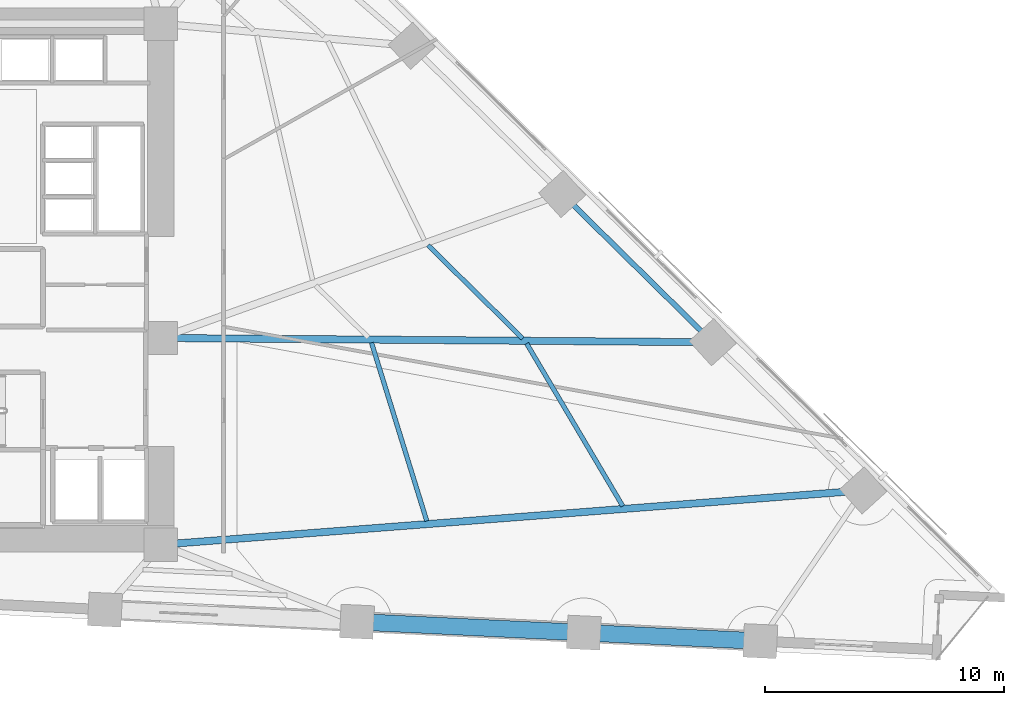
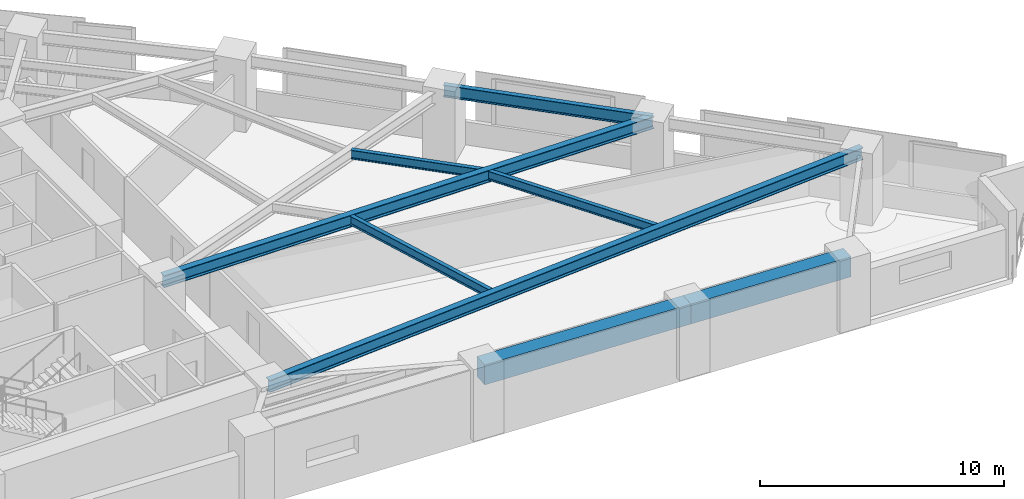
# One storey, part 3 of 17: 8 beams.
"""IFC4 building model written with IfcOpenShell, lengths in metres."""

from ifc_helpers import new_model, si_unit, direction, frame, origin, origin_2d, place, context, subcontext, project, spatial, rectangle, i_section, extrude, material, material_profile, profile_set, type_object, element, save


model = new_model("IFC4")

# Units and contexts
model_context = context("Model", 3, precision=1e-05, world=origin(), true_north=direction((0.0, 1.0)))
body_context = subcontext(model_context, "Body", "Model", "MODEL_VIEW")
ifc_project = project(units=[si_unit("LENGTHUNIT", "METRE"), si_unit("AREAUNIT", "SQUARE_METRE"), si_unit("VOLUMEUNIT", "CUBIC_METRE"), si_unit("PLANEANGLEUNIT", "RADIAN"), si_unit("MASSUNIT", "GRAM", prefix="KILO")], contexts=[model_context])

# Site, building, storey
site_placement = place(None, origin())
site = spatial("IfcSite", under=ifc_project, at=site_placement, CompositionType="ELEMENT")
building_placement = place(site_placement, origin())
building = spatial("IfcBuilding", under=site, at=building_placement, Name="Narakoshi Arena Tower", CompositionType="ELEMENT")
storey_placement = place(building_placement, frame((0.0, 0.0, 37.5)))
storey = spatial("IfcBuildingStorey", under=building, at=storey_placement, Name="L09", CompositionType="ELEMENT", Elevation=37.5)

# Beams
ifc_material_1 = material(Name="Concrete C60/75", Category="concrete")
ifc_material_profile_1 = material_profile(ifc_material_1, rectangle(XDim=0.699951171875, YDim=1.0, at=origin_2d()), Name="RCB700x1000")
ifc_profile_set_1 = profile_set([ifc_material_profile_1], Name="Concrete C60/75")
beam_type_1 = type_object("IfcBeamType", Name="BM-CPL-1000", PredefinedType="BEAM", material=ifc_profile_set_1)
beam_1_placement = place(storey_placement, frame((93.760009765625, 31.472412109375, 2.89990234375), z_axis=(0.998849228903, -0.047960587155, 0.0), x_axis=(0.047960587155, 0.998849228903, 0.0)))
element("IfcBeam", 1, at=beam_1_placement, inside=storey, type_object=beam_type_1, Name="L09 Perimeter Edge Girder 02", PredefinedType="BEAM", context=body_context, shape_type="SweptSolid", body=[
    extrude(rectangle(XDim=0.699951171875, YDim=1.0, at=origin_2d()), origin(), (0.0, 0.0, 1.0), 9.50390625),
])
beam_2_placement = place(storey_placement, frame((103.2529296875, 31.0166015625, 2.89990234375), z_axis=(0.998847872759, -0.047988822508, 0.0), x_axis=(0.047988822508, 0.998847872759, 0.0)))
element("IfcBeam", 2, at=beam_2_placement, inside=storey, type_object=beam_type_1, Name="L09 Perimeter Edge Girder 03", PredefinedType="BEAM", context=body_context, shape_type="SweptSolid", body=[
    extrude(rectangle(XDim=0.699951171875, YDim=1.0, at=origin_2d()), origin(), (0.0, 0.0, 1.0), 7.39208984375),
])
ifc_material_2 = material(Name="Structural steel S355J2", Category="steel")
ifc_material_profile_2 = material_profile(ifc_material_2, i_section(OverallWidth=0.219970703125, OverallDepth=0.60009765625, WebThickness=0.011962890625, FlangeThickness=0.01904296875, FilletRadius=0.02392578125, at=origin_2d()), Name="IPE600")
ifc_profile_set_2 = profile_set([ifc_material_profile_2], Name="Structural steel S355J2")
beam_type_2 = type_object("IfcBeamType", Name="BM-EDGE-600", PredefinedType="BEAM", material=ifc_profile_set_2)
beam_3_placement = place(storey_placement, frame((108.643798828125, 43.171875, 3.10009765625), z_axis=(-0.712540689328, 0.70163079041, 0.0), x_axis=(-0.70163079041, -0.712540689328, 0.0)))
element("IfcBeam", 3, at=beam_3_placement, inside=storey, type_object=beam_type_2, Name="L09 Perimeter Edge Girder 06", PredefinedType="BEAM", context=body_context, shape_type="SweptSolid", body=[
    extrude(i_section(OverallWidth=0.219970703125, OverallDepth=0.60009765625, WebThickness=0.011962890625, FlangeThickness=0.01904296875, FilletRadius=0.02392578125, at=origin_2d()), origin(), (0.0, 0.0, 1.0), 8.83935546875),
])
ifc_material_profile_3 = material_profile(ifc_material_2, i_section(OverallWidth=0.300048828125, OverallDepth=0.60009765625, WebThickness=0.015380859375, FlangeThickness=0.030029296875, FilletRadius=0.027099609375, at=origin_2d()), Name="HE600B")
ifc_profile_set_3 = profile_set([ifc_material_profile_3], Name="Structural steel S355J2")
beam_type_3 = type_object("IfcBeamType", Name="BM-PRI-600", PredefinedType="BEAM", material=ifc_profile_set_3)
beam_4_placement = place(storey_placement, frame((85.550048828125, 34.699951171875, 3.10009765625), z_axis=(0.99703085997, 0.077003014669, 0.0), x_axis=(-0.077003014669, 0.99703085997, 0.0)))
element("IfcBeam", 4, at=beam_4_placement, inside=storey, type_object=beam_type_3, Name="L09 Radial Primary Floor Girder 05", PredefinedType="BEAM", context=body_context, shape_type="SweptSolid", body=[
    extrude(i_section(OverallWidth=0.300048828125, OverallDepth=0.60009765625, WebThickness=0.015380859375, FlangeThickness=0.030029296875, FilletRadius=0.027099609375, at=origin_2d()), origin(), (0.0, 0.0, 1.0), 29.479736328125),
])
beam_5_placement = place(storey_placement, frame((85.550048828125, 43.35009765625, 3.10009765625), z_axis=(0.99997022255, -0.00771712473, 0.0), x_axis=(0.00771712473, 0.99997022255, 0.0)))
element("IfcBeam", 5, at=beam_5_placement, inside=storey, type_object=beam_type_3, Name="L09 Radial Primary Floor Girder 06", PredefinedType="BEAM", context=body_context, shape_type="SweptSolid", body=[
    extrude(i_section(OverallWidth=0.300048828125, OverallDepth=0.60009765625, WebThickness=0.015380859375, FlangeThickness=0.030029296875, FilletRadius=0.027099609375, at=origin_2d()), origin(), (0.0, 0.0, 1.0), 23.094482421875),
])
ifc_material_profile_4 = material_profile(ifc_material_2, i_section(OverallWidth=0.18994140625, OverallDepth=0.449951171875, WebThickness=0.009521484375, FlangeThickness=0.0146484375, FilletRadius=0.02099609375, at=origin_2d()), Name="IPE450")
ifc_profile_set_4 = profile_set([ifc_material_profile_4], Name="Structural steel S355J2")
beam_type_4 = type_object("IfcBeamType", Name="BM-SEC-450", PredefinedType="JOIST", material=ifc_profile_set_4)
beam_6_placement = place(storey_placement, frame((96.67919921875, 35.69140625, 3.175048828125), z_axis=(-0.296160353324, 0.955138233513, 0.0), x_axis=(-0.955138233513, -0.296160353324, 0.0)))
element("IfcBeam", 6, at=beam_6_placement, inside=storey, type_object=beam_type_4, Name="L09 Composite Secondary Floor Joist 03", PredefinedType="JOIST", context=body_context, shape_type="SweptSolid", body=[
    extrude(i_section(OverallWidth=0.18994140625, OverallDepth=0.449951171875, WebThickness=0.009521484375, FlangeThickness=0.0146484375, FilletRadius=0.02099609375, at=origin_2d()), origin(), (0.0, 0.0, 1.0), 7.8125),
])
beam_7_placement = place(storey_placement, frame((104.880126953125, 36.314453125, 3.175048828125), z_axis=(-0.508758462188, 0.860909302512, 0.0), x_axis=(-0.860909302512, -0.508758462188, 0.0)))
element("IfcBeam", 7, at=beam_7_placement, inside=storey, type_object=beam_type_4, Name="L09 Composite Secondary Floor Joist 04", PredefinedType="JOIST", context=body_context, shape_type="SweptSolid", body=[
    extrude(i_section(OverallWidth=0.18994140625, OverallDepth=0.449951171875, WebThickness=0.009521484375, FlangeThickness=0.0146484375, FilletRadius=0.02099609375, at=origin_2d()), origin(), (0.0, 0.0, 1.0), 7.900634765625),
])
beam_8_placement = place(storey_placement, frame((100.69580078125, 43.3271484375, 3.175048828125), z_axis=(-0.712548594801, 0.701622761923, 0.0), x_axis=(-0.701622761923, -0.712548594801, 0.0)))
element("IfcBeam", 8, at=beam_8_placement, inside=storey, type_object=beam_type_4, Name="L09 Composite Secondary Floor Joist 06", PredefinedType="JOIST", context=body_context, shape_type="SweptSolid", body=[
    extrude(i_section(OverallWidth=0.18994140625, OverallDepth=0.449951171875, WebThickness=0.009521484375, FlangeThickness=0.0146484375, FilletRadius=0.02099609375, at=origin_2d()), origin(), (0.0, 0.0, 1.0), 5.56396484375),
])

save(model, "model.ifc")
